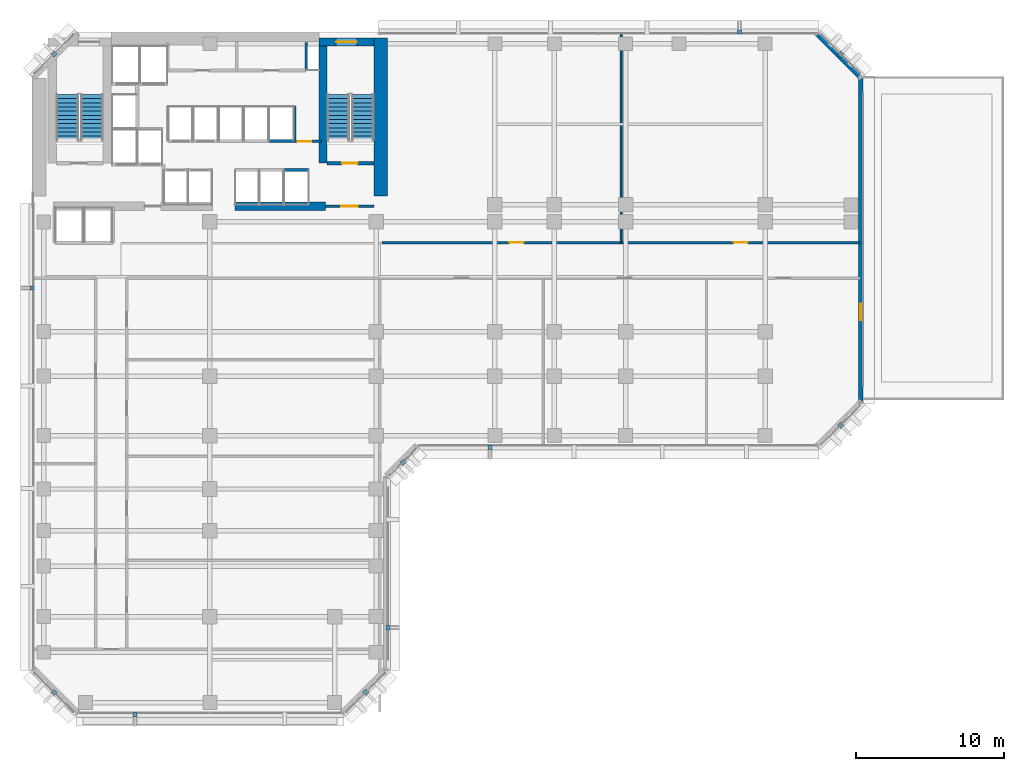
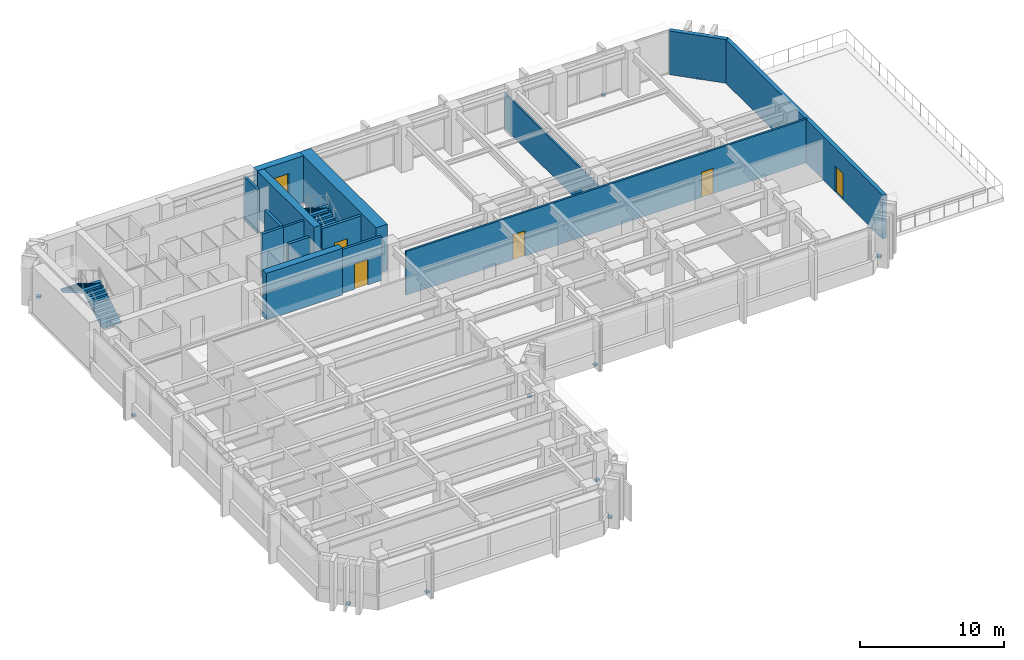
# One storey, part 8 of 13: 15 walls, 11 discrete accessories, 6 doors, 4 stair flights, 1 window, 7 openings, 2 elements without a shape of their own.
"""IFC4 building model written with IfcOpenShell, lengths in metres."""

from ifc_helpers import new_model, si_unit, direction, frame, frame_2d, origin, origin_2d, place, context, subcontext, project, spatial, polyline, rectangle, outline, extrude, material, layer, layer_set, type_object, element, fill, aggregate, save


model = new_model("IFC4")

# Units and contexts
model_context = context("Model", 3, precision=1e-05, world=origin(), true_north=direction((0.0, 1.0)))
body_context = subcontext(model_context, "Body", "Model", "MODEL_VIEW")
ifc_project = project(units=[si_unit("LENGTHUNIT", "METRE"), si_unit("AREAUNIT", "SQUARE_METRE"), si_unit("VOLUMEUNIT", "CUBIC_METRE"), si_unit("PLANEANGLEUNIT", "RADIAN"), si_unit("MASSUNIT", "GRAM", prefix="KILO")], contexts=[model_context])

# Site, building, storey
site_placement = place(None, origin())
site = spatial("IfcSite", under=ifc_project, at=site_placement, CompositionType="ELEMENT")
building_placement = place(site_placement, origin())
building = spatial("IfcBuilding", under=site, at=building_placement, Name="Kefirva Bronze Tower", CompositionType="ELEMENT")
storey_placement = place(building_placement, frame((0.0, 0.0, 30.360107421875)))
storey = spatial("IfcBuildingStorey", under=building, at=storey_placement, Name="L06", CompositionType="ELEMENT", Elevation=30.360107421875)

# Wall
ifc_material_1 = material(Name="Gypsum acoustic partition")
ifc_layer_1 = layer(ifc_material_1, 0.1298828125, Name="Gypsum acoustic partition")
ifc_layer_set_1 = layer_set([ifc_layer_1], Name="Gypsum acoustic partition")
wall_type_1 = type_object("IfcWallType", Name="Acoustic Office Partition 130mm", PredefinedType="PARTITIONING", material=ifc_layer_set_1)
wall_1_placement = place(storey_placement, frame((39.705078125, 31.800048828125, 0.0), z_axis=(0.0, 0.0, 1.0), x_axis=(0.0, 1.0, 0.0)))
element("IfcWall", 1, at=wall_1_placement, inside=storey, type_object=wall_type_1, Name="L06 Partition W-L06-END1", PredefinedType="PARTITIONING", context=body_context, shape_type="SweptSolid", body=[
    extrude(rectangle(XDim=14.010009765625, YDim=0.1298828125, at=frame_2d((7.0048828125, 0.0))), origin(), (0.0, 0.0, 1.0), 2.994873046875),
])

# Wall, opening, door
ifc_material_2 = material(Name="Gypsum fireboard shaftwall")
ifc_layer_2 = layer(ifc_material_2, 0.219970703125, Name="Gypsum fireboard shaftwall")
ifc_layer_set_2 = layer_set([ifc_layer_2], Name="Gypsum fireboard shaftwall")
wall_type_2 = type_object("IfcWallType", Name="Fire-Rated Shaft Enclosure Wall 220mm", PredefinedType="PARTITIONING", material=ifc_layer_set_2)
wall_2_placement = place(storey_placement, frame((19.89990234375, 37.14990234375, 0.0), z_axis=(0.0, 0.0, 1.0), x_axis=(1.0, 0.0, 0.0)))
wall_2 = element("IfcWall", 2, at=wall_2_placement, inside=storey, type_object=wall_type_2, Name="L06 Partition W-L06-ST2S", PredefinedType="PARTITIONING", context=body_context, shape_type="SweptSolid", body=[
    extrude(rectangle(XDim=3.150146484375, YDim=0.219970703125, at=frame_2d((1.5751953125, 0.0))), origin(), (0.0, 0.0, 1.0), 3.7099609375),
])
opening_1_placement = place(wall_2_placement, frame((2.050048828125, 0.0, 0.0), z_axis=(0.0, 0.0, 1.0), x_axis=(-1.0, 0.0, 0.0)))
opening_1 = element("IfcOpeningElement", 3, at=opening_1_placement, cuts=wall_2, Name="Opening L06-D003", PredefinedType="OPENING", context=body_context, shape_type="SweptSolid", body=[
    extrude(rectangle(XDim=1.050048828125, YDim=2.14990234375, at=frame_2d((0.52490234375, 1.074951171875))), frame((0.0, 0.1201171875, 0.0), z_axis=(0.0, -1.0, 0.0), x_axis=(1.0, 0.0, 0.0)), (0.0, 0.0, 1.0), 0.239990234375),
])
ifc_material_3 = material(Name="Painted galvanized steel", Category="steel")
door_type_1 = type_object("IfcDoorType", Name="Fire Stair Enclosure Door 1050x2150 FD90S", OperationType="NOTDEFINED", PredefinedType="DOOR", material=ifc_material_3)
door_1_placement = place(opening_1_placement, origin())
door_1 = element("IfcDoor", 4, at=door_1_placement, inside=storey, type_object=door_type_1, Name="Door L06-D003", OperationType="SINGLE_SWING_RIGHT", OverallHeight=2.14990234375, OverallWidth=1.050048828125, PredefinedType="DOOR", context=body_context, shape_type="SweptSolid", body=[
    extrude(rectangle(XDim=1.050048828125, YDim=2.14990234375, at=frame_2d((0.52490234375, 1.074951171875))), frame((0.0, 0.02490234375, 0.0), z_axis=(0.0, -1.0, 0.0), x_axis=(1.0, 0.0, 0.0)), (0.0, 0.0, 1.0), 0.050048828125),
])
fill(opening_1, door_1)

# Walls
wall_3_placement = place(storey_placement, frame((17.679931640625, 38.64990234375, 0.0), z_axis=(0.0, 0.0, 1.0), x_axis=(0.0, 1.0, 0.0)))
element("IfcWall", 5, at=wall_3_placement, inside=storey, type_object=wall_type_2, Name="L06 Partition W-L06-HP2E", PredefinedType="PARTITIONING", context=body_context, shape_type="SweptSolid", body=[
    extrude(rectangle(XDim=2.35009765625, YDim=0.199951171875, at=frame_2d((1.175048828125, 0.0))), origin(), (0.0, 0.0, 1.0), 3.7099609375),
])
wall_4_placement = place(storey_placement, frame((16.97998046875, 36.699951171875, 0.0), z_axis=(0.0, 0.0, 1.0), x_axis=(1.0, 0.0, 0.0)))
element("IfcWall", 6, at=wall_4_placement, inside=storey, type_object=wall_type_2, Name="L06 Partition W-L06-HPS", PredefinedType="PARTITIONING", context=body_context, shape_type="SweptSolid", body=[
    extrude(rectangle(XDim=1.699951171875, YDim=0.219970703125, at=frame_2d((0.85009765625, 0.0))), origin(), (0.0, 0.0, 1.0), 3.7099609375),
])
wall_5_placement = place(storey_placement, frame((15.97998046875, 38.64990234375, 0.0), z_axis=(0.0, 0.0, 1.0), x_axis=(1.0, 0.0, 0.0)))
element("IfcWall", 7, at=wall_5_placement, inside=storey, type_object=wall_type_2, Name="L06 Partition W-L06-HPN", PredefinedType="PARTITIONING", context=body_context, shape_type="SweptSolid", body=[
    extrude(rectangle(XDim=1.719970703125, YDim=0.219970703125, at=frame_2d((0.85986328125, 0.0))), origin(), (0.0, 0.0, 1.0), 3.7099609375),
])

# Wall, opening, door
ifc_material_4 = material(Name="Gypsum fireboard barrier")
ifc_layer_3 = layer(ifc_material_4, 0.199951171875, Name="Gypsum fireboard barrier")
ifc_layer_set_3 = layer_set([ifc_layer_3], Name="Gypsum fireboard barrier")
wall_type_3 = type_object("IfcWallType", Name="Firefighting Lobby Barrier Wall 200mm", PredefinedType="PARTITIONING", material=ifc_layer_set_3)
wall_6_placement = place(storey_placement, frame((19.800048828125, 34.25, 0.0), z_axis=(0.0, 0.0, 1.0), x_axis=(1.0, 0.0, 0.0)))
wall_6 = element("IfcWall", 8, at=wall_6_placement, inside=storey, type_object=wall_type_3, Name="L06 Partition W-L06-ST2F", PredefinedType="PARTITIONING", context=body_context, shape_type="SweptSolid", body=[
    extrude(rectangle(XDim=3.25, YDim=0.199951171875, at=frame_2d((1.625, 0.0))), origin(), (0.0, 0.0, 1.0), 3.7099609375),
])
opening_2_placement = place(wall_6_placement, frame((2.150146484375, 0.0, 0.0), z_axis=(0.0, 0.0, 1.0), x_axis=(-1.0, 0.0, 0.0)))
opening_2 = element("IfcOpeningElement", 9, at=opening_2_placement, cuts=wall_6, Name="Opening L06-D004", PredefinedType="OPENING", context=body_context, shape_type="SweptSolid", body=[
    extrude(rectangle(XDim=1.10009765625, YDim=2.14990234375, at=frame_2d((0.550048828125, 1.074951171875))), frame((0.0, 0.10986328125, 0.0), z_axis=(0.0, -1.0, 0.0), x_axis=(1.0, 0.0, 0.0)), (0.0, 0.0, 1.0), 0.219970703125),
])
door_type_2 = type_object("IfcDoorType", Name="Firefighting Lobby Smoke Door 1100x2150 FD60S", OperationType="NOTDEFINED", PredefinedType="DOOR", material=ifc_material_3)
door_2_placement = place(opening_2_placement, origin())
door_2 = element("IfcDoor", 10, at=door_2_placement, inside=storey, type_object=door_type_2, Name="Door L06-D004", OperationType="SINGLE_SWING_LEFT", OverallHeight=2.14990234375, OverallWidth=1.10009765625, PredefinedType="DOOR", context=body_context, shape_type="SweptSolid", body=[
    extrude(rectangle(XDim=1.10009765625, YDim=2.14990234375, at=frame_2d((0.550048828125, 1.074951171875))), frame((0.0, 0.02490234375, 0.0), z_axis=(0.0, -1.0, 0.0), x_axis=(1.0, 0.0, 0.0)), (0.0, 0.0, 1.0), 0.050048828125),
])
fill(opening_2, door_2)

wall_7_placement = place(storey_placement, frame((17.679931640625, 38.6201171875, 0.0), z_axis=(0.0, 0.0, 1.0), x_axis=(1.0, 0.0, 0.0)))
wall_7 = element("IfcWall", 11, at=wall_7_placement, inside=storey, type_object=wall_type_3, Name="L06 Partition W-L06-CPASS", PredefinedType="PARTITIONING", context=body_context, shape_type="SweptSolid", body=[
    extrude(rectangle(XDim=1.840087890625, YDim=0.179931640625, at=frame_2d((0.919921875, 0.0))), origin(), (0.0, 0.0, 1.0), 3.7099609375),
])
opening_3_placement = place(wall_7_placement, frame((0.239990234375, 0.0, 0.0)))
opening_3 = element("IfcOpeningElement", 12, at=opening_3_placement, cuts=wall_7, Name="Opening L06-D-CPAS", PredefinedType="OPENING", context=body_context, shape_type="SweptSolid", body=[
    extrude(rectangle(XDim=0.919921875, YDim=2.10009765625, at=frame_2d((0.4599609375, 1.050048828125))), frame((0.0, 0.10009765625, 0.0), z_axis=(0.0, -1.0, 0.0), x_axis=(1.0, 0.0, 0.0)), (0.0, 0.0, 1.0), 0.199951171875),
])
ifc_material_5 = material(Name="Moisture-resistant timber", Category="wood")
door_type_3 = type_object("IfcDoorType", Name="Accessible Sanitary & WC Door 920x2100", OperationType="NOTDEFINED", PredefinedType="DOOR", material=ifc_material_5)
door_3_placement = place(opening_3_placement, origin())
door_3 = element("IfcDoor", 13, at=door_3_placement, inside=storey, type_object=door_type_3, Name="Door L06-D-CPAS", OperationType="SINGLE_SWING_RIGHT", OverallHeight=2.10009765625, OverallWidth=0.919921875, PredefinedType="DOOR", context=body_context, shape_type="SweptSolid", body=[
    extrude(rectangle(XDim=0.919921875, YDim=2.10009765625, at=frame_2d((0.4599609375, 1.050048828125))), frame((0.0, 0.02490234375, 0.0), z_axis=(0.0, -1.0, 0.0), x_axis=(1.0, 0.0, 0.0)), (0.0, 0.0, 1.0), 0.050048828125),
])
fill(opening_3, door_3)

ifc_material_6 = material(Name="Precast concrete C40/50", Category="concrete")
ifc_layer_4 = layer(ifc_material_6, 0.320068359375, Name="Precast concrete C40/50")
ifc_layer_set_4 = layer_set([ifc_layer_4], Name="Precast concrete C40/50")
wall_type_4 = type_object("IfcWallType", Name="Precast Insulated Exterior Wall 320mm", PredefinedType="SOLIDWALL", material=ifc_layer_set_4)
wall_8_placement = place(storey_placement, frame((55.840087890625, 21.054931640625, 0.0), z_axis=(0.0, 0.0, 1.0), x_axis=(0.0, 1.0, 0.0)))
wall_8 = element("IfcWall", 14, at=wall_8_placement, inside=storey, type_object=wall_type_4, Name="L06 Exterior Facade Wall 5", PredefinedType="SOLIDWALL", context=body_context, shape_type="SweptSolid", body=[
    extrude(rectangle(XDim=21.89013671875, YDim=0.320068359375, at=frame_2d((10.945068359375, 0.0))), origin(), (0.0, 0.0, 1.0), 3.7099609375),
])
opening_4_placement = place(wall_8_placement, frame((6.62939453125, 0.0, 0.0), z_axis=(0.0, 0.0, 1.0), x_axis=(-1.0, 0.0, 0.0)))
opening_4 = element("IfcOpeningElement", 15, at=opening_4_placement, cuts=wall_8, Name="Opening D-TR1", PredefinedType="OPENING", context=body_context, shape_type="SweptSolid", body=[
    extrude(rectangle(XDim=1.10009765625, YDim=2.199951171875, at=frame_2d((0.550048828125, 1.10009765625))), frame((0.0, 0.169921875, 0.0), z_axis=(0.0, -1.0, 0.0), x_axis=(1.0, 0.0, 0.0)), (0.0, 0.0, 1.0), 0.340087890625),
])
ifc_material_7 = material(Name="Bronze anodised aluminium", Category="aluminium")
door_type_4 = type_object("IfcDoorType", Name="Exterior Sky-Terrace Glazed Door 1100x2200", OperationType="NOTDEFINED", PredefinedType="DOOR", material=ifc_material_7)
door_4_placement = place(opening_4_placement, origin())
door_4 = element("IfcDoor", 16, at=door_4_placement, inside=storey, type_object=door_type_4, Name="L06 Sky-Garden Terrace Access Door", OperationType="SINGLE_SWING_LEFT", OverallHeight=2.199951171875, OverallWidth=1.10009765625, PredefinedType="DOOR", context=body_context, shape_type="SweptSolid", body=[
    extrude(rectangle(XDim=1.10009765625, YDim=2.199951171875, at=frame_2d((0.550048828125, 1.10009765625))), frame((0.0, 0.02490234375, 0.0), z_axis=(0.0, -1.0, 0.0), x_axis=(1.0, 0.0, 0.0)), (0.0, 0.0, 1.0), 0.050048828125),
])
fill(opening_4, door_4)

# Wall
wall_9_placement = place(storey_placement, frame((55.847900390625, 42.92578125, 0.0), z_axis=(0.0, 0.0, 1.0), x_axis=(-0.707106781187, 0.707106781187, 0.0)))
element("IfcWall", 17, at=wall_9_placement, inside=storey, type_object=wall_type_4, Name="L06 Exterior Facade Wall 6", PredefinedType="SOLIDWALL", context=body_context, shape_type="SweptSolid", body=[
    extrude(rectangle(XDim=4.132568359375, YDim=0.320068359375, at=frame_2d((2.06640625, 0.0))), origin(), (0.0, 0.0, 1.0), 3.7099609375),
])

# Wall, openings, doors
ifc_layer_5 = layer(ifc_material_1, 0.159912109375, Name="Gypsum acoustic partition")
ifc_layer_set_5 = layer_set([ifc_layer_5], Name="Gypsum acoustic partition")
wall_type_5 = type_object("IfcWallType", Name="Protected Corridor Partition 160mm", PredefinedType="PARTITIONING", material=ifc_layer_set_5)
wall_10_placement = place(storey_placement, frame((23.60009765625, 31.800048828125, 0.0), z_axis=(0.0, 0.0, 1.0), x_axis=(1.0, 0.0, 0.0)))
wall_10 = element("IfcWall", 18, at=wall_10_placement, inside=storey, type_object=wall_type_5, Name="L06 Partition W-L06-EWN", PredefinedType="PARTITIONING", context=body_context, shape_type="SweptSolid", body=[
    extrude(rectangle(XDim=32.2099609375, YDim=0.159912109375, at=frame_2d((16.10498046875, 0.0))), origin(), (0.0, 0.0, 1.0), 3.7099609375),
])
opening_5_placement = place(wall_10_placement, frame((8.577392578125, 0.0, 0.0)))
opening_5 = element("IfcOpeningElement", 19, at=opening_5_placement, cuts=wall_10, Name="Opening L06-D-EN1", PredefinedType="OPENING", context=body_context, shape_type="SweptSolid", body=[
    extrude(rectangle(XDim=0.949951171875, YDim=2.14990234375, at=frame_2d((0.47509765625, 1.074951171875))), frame((0.0, 0.08984375, 0.0), z_axis=(0.0, -1.0, 0.0), x_axis=(1.0, 0.0, 0.0)), (0.0, 0.0, 1.0), 0.179931640625),
])
opening_6_placement = place(wall_10_placement, frame((23.6826171875, 0.0, 0.0)))
opening_6 = element("IfcOpeningElement", 20, at=opening_6_placement, cuts=wall_10, Name="Opening L06-D-EN2", PredefinedType="OPENING", context=body_context, shape_type="SweptSolid", body=[
    extrude(rectangle(XDim=0.949951171875, YDim=2.14990234375, at=frame_2d((0.47509765625, 1.074951171875))), frame((0.0, 0.08984375, 0.0), z_axis=(0.0, -1.0, 0.0), x_axis=(1.0, 0.0, 0.0)), (0.0, 0.0, 1.0), 0.179931640625),
])
ifc_material_8 = material(Name="Acoustic hardwood oak", Category="wood")
door_type_5 = type_object("IfcDoorType", Name="Office & Meeting Room Door 950x2150", OperationType="NOTDEFINED", PredefinedType="DOOR", material=ifc_material_8)
door_5_placement = place(opening_5_placement, origin())
door_5 = element("IfcDoor", 21, at=door_5_placement, inside=storey, type_object=door_type_5, Name="Door L06-D-EN1", OperationType="SINGLE_SWING_LEFT", OverallHeight=2.14990234375, OverallWidth=0.949951171875, PredefinedType="DOOR", context=body_context, shape_type="SweptSolid", body=[
    extrude(rectangle(XDim=0.949951171875, YDim=2.14990234375, at=frame_2d((0.47509765625, 1.074951171875))), frame((0.0, 0.02490234375, 0.0), z_axis=(0.0, -1.0, 0.0), x_axis=(1.0, 0.0, 0.0)), (0.0, 0.0, 1.0), 0.050048828125),
])
fill(opening_5, door_5)
door_6_placement = place(opening_6_placement, origin())
door_6 = element("IfcDoor", 22, at=door_6_placement, inside=storey, type_object=door_type_5, Name="Door L06-D-EN2", OperationType="SINGLE_SWING_RIGHT", OverallHeight=2.14990234375, OverallWidth=0.949951171875, PredefinedType="DOOR", context=body_context, shape_type="SweptSolid", body=[
    extrude(rectangle(XDim=0.949951171875, YDim=2.14990234375, at=frame_2d((0.47509765625, 1.074951171875))), frame((0.0, 0.02490234375, 0.0), z_axis=(0.0, -1.0, 0.0), x_axis=(1.0, 0.0, 0.0)), (0.0, 0.0, 1.0), 0.050048828125),
])
fill(opening_6, door_6)

# Wall, opening, window
ifc_material_9 = material(Name="Concrete C50/60", Category="concrete")
ifc_layer_6 = layer(ifc_material_9, 0.550048828125, Name="Concrete C50/60")
ifc_layer_set_6 = layer_set([ifc_layer_6], Name="Concrete C50/60")
wall_type_6 = type_object("IfcWallType", Name="RC Rear Core Exterior Wall 550mm", PredefinedType="SHEAR", material=ifc_layer_set_6)
wall_11_placement = place(storey_placement, frame((19.35009765625, 45.320068359375, 0.0), z_axis=(0.0, 0.0, 1.0), x_axis=(1.0, 0.0, 0.0)))
wall_11 = element("IfcWall", 23, at=wall_11_placement, inside=storey, type_object=wall_type_6, Name="L06 Stair 2 North Shear Wall", PredefinedType="SHEAR", context=body_context, shape_type="SweptSolid", body=[
    extrude(rectangle(XDim=3.68994140625, YDim=0.550048828125, at=frame_2d((1.844970703125, 0.0))), origin(), (0.0, 0.0, 1.0), 3.9599609375),
])
opening_7_placement = place(wall_11_placement, frame((1.14990234375, 0.0, 1.050048828125)))
opening_7 = element("IfcOpeningElement", 24, at=opening_7_placement, cuts=wall_11, Name="Opening WN-03", PredefinedType="OPENING", context=body_context, shape_type="SweptSolid", body=[
    extrude(rectangle(XDim=1.39990234375, YDim=1.800048828125, at=frame_2d((0.699951171875, 0.89990234375))), frame((0.0, 0.28515625, 0.0), z_axis=(0.0, -1.0, 0.0), x_axis=(1.0, 0.0, 0.0)), (0.0, 0.0, 1.0), 0.570068359375),
])
ifc_material_10 = material(Name="Laminated low-E double glazing", Category="glass")
window_type = type_object("IfcWindowType", Name="Rear-Core Stair Daylight Window 1400x1800", PartitioningType="SINGLE_PANEL", PredefinedType="WINDOW", material=ifc_material_10)
window_placement = place(opening_7_placement, origin())
window = element("IfcWindow", 25, at=window_placement, inside=storey, type_object=window_type, Name="L06 Stair 2 Daylight Window", OverallHeight=1.800048828125, OverallWidth=1.39990234375, PartitioningType="SINGLE_PANEL", PredefinedType="WINDOW", context=body_context, shape_type="SweptSolid", body=[
    extrude(rectangle(XDim=1.39990234375, YDim=1.800048828125, at=frame_2d((0.699951171875, 0.89990234375))), frame((0.0, 0.030029296875, 0.0), z_axis=(0.0, -1.0, 0.0), x_axis=(1.0, 0.0, 0.0)), (0.0, 0.0, 1.0), 0.06005859375),
])
fill(opening_7, window)

# Walls
ifc_layer_7 = layer(ifc_material_9, 0.550048828125, Name="Concrete C50/60")
ifc_layer_set_7 = layer_set([ifc_layer_7], Name="Concrete C50/60")
wall_type_7 = type_object("IfcWallType", Name="RC Rear Core Interior Wall 550mm", PredefinedType="SHEAR", material=ifc_layer_set_7)
wall_12_placement = place(storey_placement, frame((19.6201171875, 37.14990234375, 0.0), z_axis=(0.0, 0.0, 1.0), x_axis=(0.0, 1.0, 0.0)))
element("IfcWall", 26, at=wall_12_placement, inside=storey, type_object=wall_type_7, Name="L06 Stair 2 West Shear Wall", PredefinedType="SHEAR", context=body_context, shape_type="SweptSolid", body=[
    extrude(rectangle(XDim=7.89013671875, YDim=0.550048828125, at=frame_2d((3.945068359375, 0.0))), origin(), (0.0, 0.0, 1.0), 3.9599609375),
])
ifc_material_11 = material(Name="Concrete C60/75", Category="concrete")
ifc_layer_8 = layer(ifc_material_11, 0.89990234375, Name="Concrete C60/75")
ifc_layer_set_8 = layer_set([ifc_layer_8], Name="Concrete C60/75")
wall_type_8 = type_object("IfcWallType", Name="RC Rear Core Interior Wall 900mm", PredefinedType="SHEAR", material=ifc_layer_set_8)
wall_13_placement = place(storey_placement, frame((23.5, 34.949951171875, 0.0), z_axis=(0.0, 0.0, 1.0), x_axis=(0.0, 1.0, 0.0)))
element("IfcWall", 27, at=wall_13_placement, inside=storey, type_object=wall_type_8, Name="L06 Rear Core East Shear Wall", PredefinedType="SHEAR", context=body_context, shape_type="SweptSolid", body=[
    extrude(rectangle(XDim=10.64013671875, YDim=0.89990234375, at=frame_2d((5.320068359375, 0.0))), origin(), (0.0, 0.0, 1.0), 3.9599609375),
])
wall_14_placement = place(storey_placement, frame((13.679931640625, 34.25, 0.0), z_axis=(0.0, 0.0, 1.0), x_axis=(1.0, 0.0, 0.0)))
element("IfcWall", 28, at=wall_14_placement, inside=storey, type_object=wall_type_8, Name="L06 Rear Core South-East Shear Wall", PredefinedType="SHEAR", context=body_context, shape_type="SweptSolid", body=[
    extrude(rectangle(XDim=6.1201171875, YDim=0.550048828125, at=frame_2d((3.06005859375, 0.0))), origin(), (0.0, 0.0, 1.0), 3.9599609375),
])
ifc_material_12 = material(Name="Moisture-resistant partition")
ifc_layer_9 = layer(ifc_material_12, 0.179931640625, Name="Moisture-resistant partition")
ifc_layer_set_9 = layer_set([ifc_layer_9], Name="Moisture-resistant partition")
wall_type_9 = type_object("IfcWallType", Name="Sanitary Plumbing Chase Wall 180mm", PredefinedType="PLUMBINGWALL", material=ifc_layer_set_9)
wall_15_placement = place(storey_placement, frame((18.47998046875, 43.39990234375, 0.0), z_axis=(0.0, 0.0, 1.0), x_axis=(0.0, 1.0, 0.0)))
element("IfcWall", 29, at=wall_15_placement, inside=storey, type_object=wall_type_9, Name="L06 Partition W-L06-SVCE", PredefinedType="PLUMBINGWALL", context=body_context, shape_type="SweptSolid", body=[
    extrude(rectangle(XDim=1.880126953125, YDim=0.179931640625, at=frame_2d((0.93994140625, 0.0))), origin(), (0.0, 0.0, 1.0), 3.7099609375),
])

# Stair, stair flights
ifc_material_13 = material(Name="Concrete C40/50", Category="concrete")
stair_type = type_object("IfcStairType", Name="RC Dogleg Protected Stair 24R", PredefinedType="HALF_TURN_STAIR", material=ifc_material_13)
stair_1_placement = place(storey_placement, origin())
stair_1 = element("IfcStair", 30, at=stair_1_placement, inside=storey, type_object=stair_type, Name="L06 Protected Exit Stair 1", PredefinedType="HALF_TURN_STAIR")
stair_flight_type = type_object("IfcStairFlightType", Name="RC Straight Stair Flight 24R", PredefinedType="STRAIGHT", material=ifc_material_13)
stair_flight_1_placement = place(storey_placement, frame((4.050048828125, 38.699951171875, 0.0), z_axis=(0.0, 0.0, 1.0), x_axis=(0.0, 1.0, 0.0)))
stair_flight_1 = element("IfcStairFlight", 31, at=stair_flight_1_placement, type_object=stair_flight_type, Name="ST-1 flight 1", NumberOfRisers=12, NumberOfTreads=11, PredefinedType="STRAIGHT", RiserHeight=0.165, TreadLength=0.28, context=body_context, shape_type="SweptSolid", body=[
    extrude(outline(polyline([(0.0, 0.0), (0.0, 0.1650390625), (0.280029296875, 0.1650390625), (0.280029296875, 0.330078125), (0.56005859375, 0.330078125), (0.56005859375, 0.4951171875), (0.840087890625, 0.4951171875), (0.840087890625, 0.659912109375), (1.1201171875, 0.659912109375), (1.1201171875, 0.824951171875), (1.39990234375, 0.824951171875), (1.39990234375, 0.989990234375), (1.679931640625, 0.989990234375), (1.679931640625, 1.155029296875), (1.9599609375, 1.155029296875), (1.9599609375, 1.320068359375), (2.239990234375, 1.320068359375), (2.239990234375, 1.485107421875), (2.52001953125, 1.485107421875), (2.52001953125, 1.64990234375), (2.800048828125, 1.64990234375), (2.800048828125, 1.81494140625), (3.080078125, 1.81494140625), (3.080078125, 1.97998046875), (3.080078125, 1.64111328125), (0.295166015625, 0.0), (0.0, 0.0)])), frame((0.0, 0.75, 0.0), z_axis=(0.0, -1.0, 0.0), x_axis=(1.0, 0.0, 0.0)), (0.0, 0.0, 1.0), 1.5),
])
stair_flight_2_placement = place(storey_placement, frame((2.39990234375, 41.780029296875, 1.97998046875), z_axis=(0.0, 0.0, 1.0), x_axis=(0.0, -1.0, 0.0)))
stair_flight_2 = element("IfcStairFlight", 32, at=stair_flight_2_placement, type_object=stair_flight_type, Name="ST-1 flight 2", NumberOfRisers=12, NumberOfTreads=11, PredefinedType="STRAIGHT", RiserHeight=0.165, TreadLength=0.28, context=body_context, shape_type="SweptSolid", body=[
    extrude(outline(polyline([(0.0, 0.0), (0.0, 0.1650390625), (0.280029296875, 0.1650390625), (0.280029296875, 0.330078125), (0.56005859375, 0.330078125), (0.56005859375, 0.4951171875), (0.840087890625, 0.4951171875), (0.840087890625, 0.659912109375), (1.1201171875, 0.659912109375), (1.1201171875, 0.824951171875), (1.39990234375, 0.824951171875), (1.39990234375, 0.989990234375), (1.679931640625, 0.989990234375), (1.679931640625, 1.155029296875), (1.9599609375, 1.155029296875), (1.9599609375, 1.320068359375), (2.239990234375, 1.320068359375), (2.239990234375, 1.485107421875), (2.52001953125, 1.485107421875), (2.52001953125, 1.64990234375), (2.800048828125, 1.64990234375), (2.800048828125, 1.81494140625), (3.080078125, 1.81494140625), (3.080078125, 1.97998046875), (3.080078125, 1.64111328125), (0.295166015625, 0.0), (0.0, 0.0)])), frame((0.0, 0.75, 0.0), z_axis=(0.0, -1.0, 0.0), x_axis=(1.0, 0.0, 0.0)), (0.0, 0.0, 1.0), 1.5),
])
aggregate(stair_1, [stair_flight_1, stair_flight_2])

stair_2_placement = place(storey_placement, origin())
stair_2 = element("IfcStair", 33, at=stair_2_placement, inside=storey, type_object=stair_type, Name="L06 Protected Exit Stair 2", PredefinedType="HALF_TURN_STAIR")
stair_flight_3_placement = place(storey_placement, frame((22.300048828125, 38.699951171875, 0.0), z_axis=(0.0, 0.0, 1.0), x_axis=(0.0, 1.0, 0.0)))
stair_flight_3 = element("IfcStairFlight", 34, at=stair_flight_3_placement, type_object=stair_flight_type, Name="ST-2 flight 1", NumberOfRisers=12, NumberOfTreads=11, PredefinedType="STRAIGHT", RiserHeight=0.165, TreadLength=0.28, context=body_context, shape_type="SweptSolid", body=[
    extrude(outline(polyline([(0.0, 0.0), (0.0, 0.1650390625), (0.280029296875, 0.1650390625), (0.280029296875, 0.330078125), (0.56005859375, 0.330078125), (0.56005859375, 0.4951171875), (0.840087890625, 0.4951171875), (0.840087890625, 0.659912109375), (1.1201171875, 0.659912109375), (1.1201171875, 0.824951171875), (1.39990234375, 0.824951171875), (1.39990234375, 0.989990234375), (1.679931640625, 0.989990234375), (1.679931640625, 1.155029296875), (1.9599609375, 1.155029296875), (1.9599609375, 1.320068359375), (2.239990234375, 1.320068359375), (2.239990234375, 1.485107421875), (2.52001953125, 1.485107421875), (2.52001953125, 1.64990234375), (2.800048828125, 1.64990234375), (2.800048828125, 1.81494140625), (3.080078125, 1.81494140625), (3.080078125, 1.97998046875), (3.080078125, 1.64111328125), (0.295166015625, 0.0), (0.0, 0.0)])), frame((0.0, 0.75, 0.0), z_axis=(0.0, -1.0, 0.0), x_axis=(1.0, 0.0, 0.0)), (0.0, 0.0, 1.0), 1.5),
])
stair_flight_4_placement = place(storey_placement, frame((20.64990234375, 41.780029296875, 1.97998046875), z_axis=(0.0, 0.0, 1.0), x_axis=(0.0, -1.0, 0.0)))
stair_flight_4 = element("IfcStairFlight", 35, at=stair_flight_4_placement, type_object=stair_flight_type, Name="ST-2 flight 2", NumberOfRisers=12, NumberOfTreads=11, PredefinedType="STRAIGHT", RiserHeight=0.165, TreadLength=0.28, context=body_context, shape_type="SweptSolid", body=[
    extrude(outline(polyline([(0.0, 0.0), (0.0, 0.1650390625), (0.280029296875, 0.1650390625), (0.280029296875, 0.330078125), (0.56005859375, 0.330078125), (0.56005859375, 0.4951171875), (0.840087890625, 0.4951171875), (0.840087890625, 0.659912109375), (1.1201171875, 0.659912109375), (1.1201171875, 0.824951171875), (1.39990234375, 0.824951171875), (1.39990234375, 0.989990234375), (1.679931640625, 0.989990234375), (1.679931640625, 1.155029296875), (1.9599609375, 1.155029296875), (1.9599609375, 1.320068359375), (2.239990234375, 1.320068359375), (2.239990234375, 1.485107421875), (2.52001953125, 1.485107421875), (2.52001953125, 1.64990234375), (2.800048828125, 1.64990234375), (2.800048828125, 1.81494140625), (3.080078125, 1.81494140625), (3.080078125, 1.97998046875), (3.080078125, 1.64111328125), (0.295166015625, 0.0), (0.0, 0.0)])), frame((0.0, 0.75, 0.0), z_axis=(0.0, -1.0, 0.0), x_axis=(1.0, 0.0, 0.0)), (0.0, 0.0, 1.0), 1.5),
])
aggregate(stair_2, [stair_flight_3, stair_flight_4])

# Discrete accessories
ifc_material_14 = material(Name="Stainless steel 316", Category="steel")
ifc_layer_10 = layer(ifc_material_14, 0.159912109375, Name="Stainless steel 316")
ifc_layer_set_10 = layer_set([ifc_layer_10], Name="Stainless steel 316")
discrete_accessory_type = type_object("IfcDiscreteAccessoryType", Name="Stainless Facade Outrigger Bracket", PredefinedType="BRACKET", material=ifc_layer_set_10)
discrete_accessory_1_placement = place(storey_placement, frame((6.9599609375, 0.0, -0.16015625), z_axis=(0.0, 0.0, 1.0), x_axis=(1.0, 0.0, 0.0)))
element("IfcDiscreteAccessory", 36, at=discrete_accessory_1_placement, inside=storey, type_object=discrete_accessory_type, Name="L06 Rib Outrigger Bracket 1", PredefinedType="BRACKET", context=body_context, shape_type="SweptSolid", body=[
    extrude(rectangle(XDim=0.280029296875, YDim=0.280029296875, at=origin_2d()), origin(), (0.0, 0.0, 1.0), 0.159912109375),
])
discrete_accessory_2_placement = place(storey_placement, frame((22.5, 1.5, -0.16015625), z_axis=(0.0, 0.0, 1.0), x_axis=(0.707106781187, 0.707106781187, 0.0)))
element("IfcDiscreteAccessory", 37, at=discrete_accessory_2_placement, inside=storey, type_object=discrete_accessory_type, Name="L06 Corner Fin Outrigger Bracket 4", PredefinedType="BRACKET", context=body_context, shape_type="SweptSolid", body=[
    extrude(rectangle(XDim=0.300048828125, YDim=0.300048828125, at=origin_2d()), origin(), (0.0, 0.0, 1.0), 0.159912109375),
])
discrete_accessory_3_placement = place(storey_placement, frame((24.0, 5.860107421875, -0.16015625), z_axis=(0.0, 0.0, 1.0), x_axis=(0.0, 1.0, 0.0)))
element("IfcDiscreteAccessory", 38, at=discrete_accessory_3_placement, inside=storey, type_object=discrete_accessory_type, Name="L06 Rib Outrigger Bracket 5", PredefinedType="BRACKET", context=body_context, shape_type="SweptSolid", body=[
    extrude(rectangle(XDim=0.280029296875, YDim=0.280029296875, at=origin_2d()), origin(), (0.0, 0.0, 1.0), 0.159912109375),
])
discrete_accessory_4_placement = place(storey_placement, frame((25.0, 17.0, -0.16015625), z_axis=(0.0, 0.0, 1.0), x_axis=(0.707106781187, 0.707106781187, 0.0)))
element("IfcDiscreteAccessory", 39, at=discrete_accessory_4_placement, inside=storey, type_object=discrete_accessory_type, Name="L06 Corner Fin Outrigger Bracket 8", PredefinedType="BRACKET", context=body_context, shape_type="SweptSolid", body=[
    extrude(rectangle(XDim=0.300048828125, YDim=0.300048828125, at=origin_2d()), origin(), (0.0, 0.0, 1.0), 0.159912109375),
])
discrete_accessory_5_placement = place(storey_placement, frame((30.860107421875, 18.0, -0.16015625), z_axis=(0.0, 0.0, 1.0), x_axis=(1.0, 0.0, 0.0)))
element("IfcDiscreteAccessory", 40, at=discrete_accessory_5_placement, inside=storey, type_object=discrete_accessory_type, Name="L06 Rib Outrigger Bracket 9", PredefinedType="BRACKET", context=body_context, shape_type="SweptSolid", body=[
    extrude(rectangle(XDim=0.280029296875, YDim=0.280029296875, at=origin_2d()), origin(), (0.0, 0.0, 1.0), 0.159912109375),
])
for number, where, z_axis, x_axis, name in (
    (41, (54.5, 19.5, -0.16015625), (0.0, 0.0, 1.0), (0.707106781187, 0.707106781187, 0.0), "L06 Corner Fin Outrigger Bracket 14"),
    (42, (54.5, 44.5, -0.16015625), (0.0, 0.0, 1.0), (-0.707106781187, 0.707106781187, 0.0), "L06 Corner Fin Outrigger Bracket 16"),
):
    element("IfcDiscreteAccessory", number, at=place(storey_placement, frame(where, z_axis=z_axis, x_axis=x_axis)), inside=storey, type_object=discrete_accessory_type, Name=name, PredefinedType="BRACKET", context=body_context, shape_type="SweptSolid", body=[
        extrude(rectangle(XDim=0.300048828125, YDim=0.300048828125, at=origin_2d()), origin(), (0.0, 0.0, 1.0), 0.159912109375),
    ])
discrete_accessory_6_placement = place(storey_placement, frame((47.6728515625, 46.0, -0.16015625), z_axis=(0.0, 0.0, 1.0), x_axis=(-1.0, 0.0, 0.0)))
element("IfcDiscreteAccessory", 43, at=discrete_accessory_6_placement, inside=storey, type_object=discrete_accessory_type, Name="L06 Rib Outrigger Bracket 17", PredefinedType="BRACKET", context=body_context, shape_type="SweptSolid", body=[
    extrude(rectangle(XDim=0.280029296875, YDim=0.280029296875, at=origin_2d()), origin(), (0.0, 0.0, 1.0), 0.159912109375),
])
discrete_accessory_7_placement = place(storey_placement, frame((1.5, 44.5, -0.16015625), z_axis=(0.0, 0.0, 1.0), x_axis=(-0.707106781187, -0.707106781187, 0.0)))
element("IfcDiscreteAccessory", 44, at=discrete_accessory_7_placement, inside=storey, type_object=discrete_accessory_type, Name="L06 Corner Fin Outrigger Bracket 22", PredefinedType="BRACKET", context=body_context, shape_type="SweptSolid", body=[
    extrude(rectangle(XDim=0.300048828125, YDim=0.300048828125, at=origin_2d()), origin(), (0.0, 0.0, 1.0), 0.159912109375),
])
discrete_accessory_8_placement = place(storey_placement, frame((0.0, 28.743896484375, -0.16015625), z_axis=(0.0, 0.0, 1.0), x_axis=(0.0, -1.0, 0.0)))
element("IfcDiscreteAccessory", 45, at=discrete_accessory_8_placement, inside=storey, type_object=discrete_accessory_type, Name="L06 Rib Outrigger Bracket 23", PredefinedType="BRACKET", context=body_context, shape_type="SweptSolid", body=[
    extrude(rectangle(XDim=0.280029296875, YDim=0.280029296875, at=origin_2d()), origin(), (0.0, 0.0, 1.0), 0.159912109375),
])
discrete_accessory_9_placement = place(storey_placement, frame((1.5, 1.5, -0.16015625), z_axis=(0.0, 0.0, 1.0), x_axis=(0.707106781187, -0.707106781187, 0.0)))
element("IfcDiscreteAccessory", 46, at=discrete_accessory_9_placement, inside=storey, type_object=discrete_accessory_type, Name="L06 Corner Fin Outrigger Bracket 28", PredefinedType="BRACKET", context=body_context, shape_type="SweptSolid", body=[
    extrude(rectangle(XDim=0.300048828125, YDim=0.300048828125, at=origin_2d()), origin(), (0.0, 0.0, 1.0), 0.159912109375),
])

save(model, "model.ifc")
